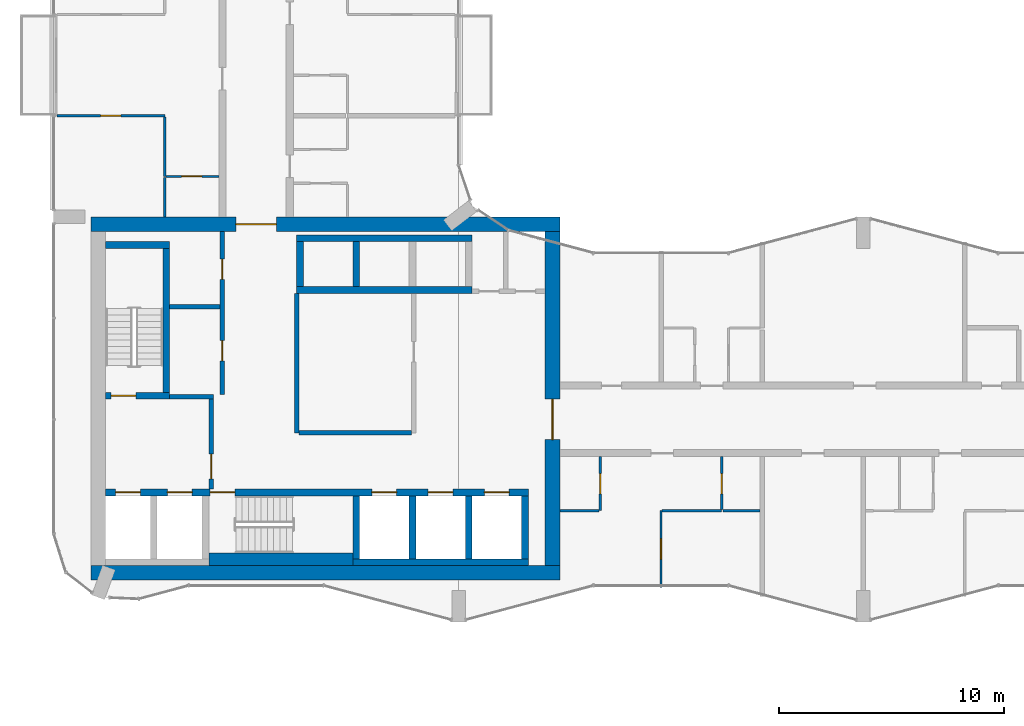
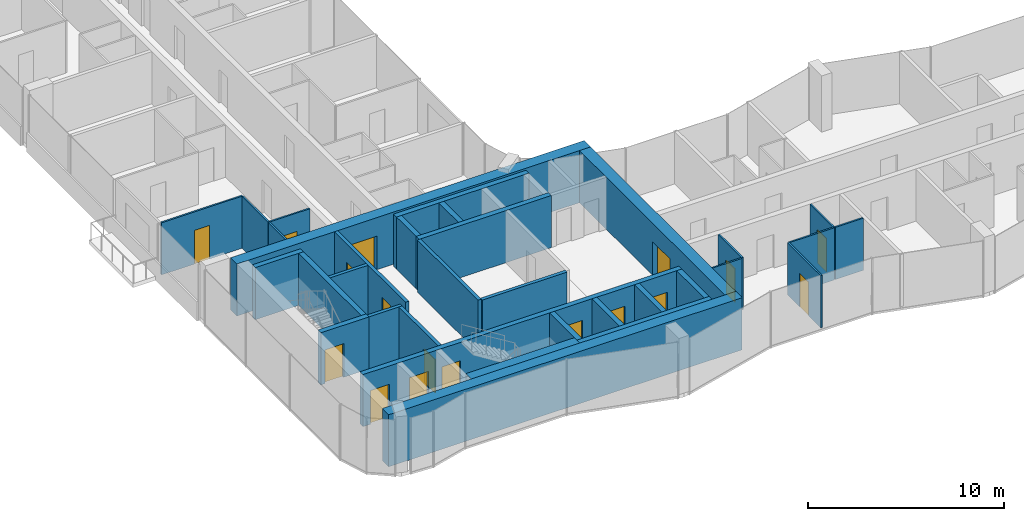
# One storey, part 13 of 22: 33 walls, 17 doors, 17 openings.
"""IFC4 building model written with IfcOpenShell, lengths in metres."""

from ifc_helpers import new_model, si_unit, direction, frame, frame_2d, origin, place, context, subcontext, project, spatial, rectangle, extrude, material, layer, layer_set, type_object, element, fill, save


model = new_model("IFC4")

# Units and contexts
model_context = context("Model", 3, precision=1e-05, world=origin(), true_north=direction((0.0, 1.0)))
body_context = subcontext(model_context, "Body", "Model", "MODEL_VIEW")
ifc_project = project(units=[si_unit("LENGTHUNIT", "METRE"), si_unit("AREAUNIT", "SQUARE_METRE"), si_unit("VOLUMEUNIT", "CUBIC_METRE"), si_unit("PLANEANGLEUNIT", "RADIAN"), si_unit("MASSUNIT", "GRAM", prefix="KILO")], contexts=[model_context])

# Site, building, storey
site_placement = place(None, origin())
site = spatial("IfcSite", under=ifc_project, at=site_placement, CompositionType="ELEMENT")
building_placement = place(site_placement, origin())
building = spatial("IfcBuilding", under=site, at=building_placement, Name="Plateau Cross Towers", CompositionType="ELEMENT")
storey_placement = place(building_placement, frame((0.0, 0.0, 113.300048828125)))
storey = spatial("IfcBuildingStorey", under=building, at=storey_placement, Name="L29", CompositionType="ELEMENT", Elevation=113.300048828125)

# Wall, opening, door
ifc_material_1 = material(Name="Concrete block, plastered both sides", Category="concrete")
ifc_layer_1 = layer(ifc_material_1, 0.199951171875)
ifc_layer_set_1 = layer_set([ifc_layer_1], Name="Concrete block, plastered both sides")
wall_type_1 = type_object("IfcWallType", Name="Core partition 200", PredefinedType="PARTITIONING", material=ifc_layer_set_1)
wall_1_placement = place(storey_placement, frame((7.0, 5.89990234375, 0.0), z_axis=(0.0, 0.0, 1.0), x_axis=(0.0, 1.0, 0.0)))
wall_1 = element("IfcWall", 1, at=wall_1_placement, inside=storey, type_object=wall_type_1, Name="Core partition", PredefinedType="PARTITIONING", context=body_context, shape_type="SweptSolid", body=[
    extrude(rectangle(XDim=4.0, YDim=0.199951171875, at=frame_2d((2.0, 0.0))), origin(), (0.0, 0.0, 1.0), 3.25),
])
opening_1_placement = place(wall_1_placement, frame((0.449951171875, 0.0, 0.0)))
opening_1 = element("IfcOpeningElement", 2, at=opening_1_placement, cuts=wall_1, Name="Opening FFD", PredefinedType="OPENING", context=body_context, shape_type="SweptSolid", body=[
    extrude(rectangle(XDim=1.10009765625, YDim=2.10009765625, at=frame_2d((0.550048828125, 1.050048828125))), frame((0.0, 0.10986328125, 0.0), z_axis=(0.0, -1.0, 0.0), x_axis=(1.0, 0.0, 0.0)), (0.0, 0.0, 1.0), 0.219970703125),
])
ifc_material_2 = material(Name="Steel, fire-resisting leaf", Category="steel")
door_type_1 = type_object("IfcDoorType", Name="Firefighting lobby door 1100", OperationType="NOTDEFINED", PredefinedType="DOOR", material=ifc_material_2)
door_1_placement = place(opening_1_placement, origin())
door_1 = element("IfcDoor", 3, at=door_1_placement, inside=storey, type_object=door_type_1, Name="Firefighting lobby door FFD", OperationType="SINGLE_SWING_LEFT", OverallHeight=2.10009765625, OverallWidth=1.10009765625, PredefinedType="DOOR", context=body_context, shape_type="SweptSolid", body=[
    extrude(rectangle(XDim=1.10009765625, YDim=2.10009765625, at=frame_2d((0.550048828125, 1.050048828125))), frame((0.0, 0.02490234375, 0.0), z_axis=(0.0, -1.0, 0.0), x_axis=(1.0, 0.0, 0.0)), (0.0, 0.0, 1.0), 0.050048828125),
])
fill(opening_1, door_1)

# Walls
wall_2_placement = place(storey_placement, frame((5.14990234375, 10.0, 0.0), z_axis=(0.0, 0.0, 1.0), x_axis=(1.0, 0.0, 0.0)))
element("IfcWall", 4, at=wall_2_placement, inside=storey, type_object=wall_type_1, Name="Core partition", PredefinedType="PARTITIONING", context=body_context, shape_type="SweptSolid", body=[
    extrude(rectangle(XDim=1.9501953125, YDim=0.199951171875, at=frame_2d((0.97509765625, 0.0))), origin(), (0.0, 0.0, 1.0), 3.25),
])
wall_3_placement = place(storey_placement, frame((10.800048828125, 8.39990234375, 0.0), z_axis=(0.0, 0.0, 1.0), x_axis=(0.0, 1.0, 0.0)))
element("IfcWall", 5, at=wall_3_placement, inside=storey, type_object=wall_type_1, Name="Core partition", PredefinedType="PARTITIONING", context=body_context, shape_type="SweptSolid", body=[
    extrude(rectangle(XDim=6.2001953125, YDim=0.199951171875, at=frame_2d((3.10009765625, 0.0))), origin(), (0.0, 0.0, 1.0), 3.25),
])
wall_4_placement = place(storey_placement, frame((10.89990234375, 8.39990234375, 0.0), z_axis=(0.0, 0.0, 1.0), x_axis=(1.0, 0.0, 0.0)))
element("IfcWall", 6, at=wall_4_placement, inside=storey, type_object=wall_type_1, Name="Core partition", PredefinedType="PARTITIONING", context=body_context, shape_type="SweptSolid", body=[
    extrude(rectangle(XDim=5.0, YDim=0.199951171875, at=frame_2d((2.5, 0.0))), origin(), (0.0, 0.0, 1.0), 3.25),
])

# Wall, openings, doors
wall_5_placement = place(storey_placement, frame((7.5, 10.10009765625, 0.0), z_axis=(0.0, 0.0, 1.0), x_axis=(0.0, 1.0, 0.0)))
wall_5 = element("IfcWall", 7, at=wall_5_placement, inside=storey, type_object=wall_type_1, Name="Core partition", PredefinedType="PARTITIONING", context=body_context, shape_type="SweptSolid", body=[
    extrude(rectangle(XDim=7.25, YDim=0.199951171875, at=frame_2d((3.625, 0.0))), origin(), (0.0, 0.0, 1.0), 3.25),
])
opening_2_placement = place(wall_5_placement, frame((1.5, 0.0, 0.0)))
opening_2 = element("IfcOpeningElement", 8, at=opening_2_placement, cuts=wall_5, Name="Opening RD1", PredefinedType="OPENING", context=body_context, shape_type="SweptSolid", body=[
    extrude(rectangle(XDim=0.89990234375, YDim=2.10009765625, at=frame_2d((0.449951171875, 1.050048828125))), frame((0.0, 0.10986328125, 0.0), z_axis=(0.0, -1.0, 0.0), x_axis=(1.0, 0.0, 0.0)), (0.0, 0.0, 1.0), 0.219970703125),
])
opening_3_placement = place(wall_5_placement, frame((5.125, 0.0, 0.0)))
opening_3 = element("IfcOpeningElement", 9, at=opening_3_placement, cuts=wall_5, Name="Opening RD1", PredefinedType="OPENING", context=body_context, shape_type="SweptSolid", body=[
    extrude(rectangle(XDim=0.89990234375, YDim=2.10009765625, at=frame_2d((0.449951171875, 1.050048828125))), frame((0.0, 0.10986328125, 0.0), z_axis=(0.0, -1.0, 0.0), x_axis=(1.0, 0.0, 0.0)), (0.0, 0.0, 1.0), 0.219970703125),
])
ifc_material_3 = material(Name="Timber, fire-resisting leaf", Category="wood")
door_type_2 = type_object("IfcDoorType", Name="Core service door 900", OperationType="NOTDEFINED", PredefinedType="DOOR", material=ifc_material_3)
door_2_placement = place(opening_2_placement, origin())
door_2 = element("IfcDoor", 10, at=door_2_placement, inside=storey, type_object=door_type_2, Name="Core service door RD1", OperationType="SINGLE_SWING_RIGHT", OverallHeight=2.10009765625, OverallWidth=0.89990234375, PredefinedType="DOOR", context=body_context, shape_type="SweptSolid", body=[
    extrude(rectangle(XDim=0.89990234375, YDim=2.10009765625, at=frame_2d((0.449951171875, 1.050048828125))), frame((0.0, 0.02490234375, 0.0), z_axis=(0.0, -1.0, 0.0), x_axis=(1.0, 0.0, 0.0)), (0.0, 0.0, 1.0), 0.050048828125),
])
fill(opening_2, door_2)
door_3_placement = place(opening_3_placement, origin())
door_3 = element("IfcDoor", 11, at=door_3_placement, inside=storey, type_object=door_type_2, Name="Core service door RD1", OperationType="SINGLE_SWING_RIGHT", OverallHeight=2.10009765625, OverallWidth=0.89990234375, PredefinedType="DOOR", context=body_context, shape_type="SweptSolid", body=[
    extrude(rectangle(XDim=0.89990234375, YDim=2.10009765625, at=frame_2d((0.449951171875, 1.050048828125))), frame((0.0, 0.02490234375, 0.0), z_axis=(0.0, -1.0, 0.0), x_axis=(1.0, 0.0, 0.0)), (0.0, 0.0, 1.0), 0.050048828125),
])
fill(opening_3, door_3)

# Walls
wall_6_placement = place(storey_placement, frame((5.14990234375, 14.0, 0.0), z_axis=(0.0, 0.0, 1.0), x_axis=(1.0, 0.0, 0.0)))
element("IfcWall", 12, at=wall_6_placement, inside=storey, type_object=wall_type_1, Name="Core partition", PredefinedType="PARTITIONING", context=body_context, shape_type="SweptSolid", body=[
    extrude(rectangle(XDim=2.25, YDim=0.199951171875, at=frame_2d((1.125, 0.0))), origin(), (0.0, 0.0, 1.0), 3.25),
])
ifc_material_4 = material(Name="Concrete C60/75", Category="concrete")
ifc_layer_2 = layer(ifc_material_4, 0.300048828125)
ifc_layer_set_2 = layer_set([ifc_layer_2], Name="Concrete C60/75")
wall_type_2 = type_object("IfcWallType", Name="Core shaft wall 300", PredefinedType="SHEAR", material=ifc_layer_set_2)
wall_7_placement = place(storey_placement, frame((13.300048828125, 2.64990234375, 0.0), z_axis=(0.0, 0.0, 1.0), x_axis=(1.0, 0.0, 0.0)))
element("IfcWall", 13, at=wall_7_placement, inside=storey, type_object=wall_type_2, Name="A-sb-back3@L29", PredefinedType="SHEAR", context=body_context, shape_type="SweptSolid", body=[
    extrude(rectangle(XDim=7.800048828125, YDim=0.300048828125, at=frame_2d((3.89990234375, 0.0))), origin(), (0.0, 0.0, 1.0), 3.25),
])
for number, where, z_axis, x_axis, name in (
    (14, (13.449951171875, 2.800048828125, 0.0), (0.0, 0.0, 1.0), (0.0, 1.0, 0.0), "A-sb-v3@L29"),
    (15, (15.949951171875, 2.800048828125, 0.0), (0.0, 0.0, 1.0), (0.0, 1.0, 0.0), "A-sb-v4@L29"),
    (16, (18.449951171875, 2.800048828125, 0.0), (0.0, 0.0, 1.0), (0.0, 1.0, 0.0), "A-sb-v5@L29"),
    (17, (20.949951171875, 2.800048828125, 0.0), (0.0, 0.0, 1.0), (0.0, 1.0, 0.0), "A-sb-v6@L29"),
):
    element("IfcWall", number, at=place(storey_placement, frame(where, z_axis=z_axis, x_axis=x_axis)), inside=storey, type_object=wall_type_2, Name=name, PredefinedType="SHEAR", context=body_context, shape_type="SweptSolid", body=[
        extrude(rectangle(XDim=2.800048828125, YDim=0.300048828125, at=frame_2d((1.39990234375, 0.0))), origin(), (0.0, 0.0, 1.0), 3.25),
    ])

# Wall, openings, doors
wall_8_placement = place(storey_placement, frame((2.300048828125, 5.75, 0.0), z_axis=(0.0, 0.0, 1.0), x_axis=(1.0, 0.0, 0.0)))
wall_8 = element("IfcWall", 18, at=wall_8_placement, inside=storey, type_object=wall_type_2, Name="A-sb-front@L29", PredefinedType="SHEAR", context=body_context, shape_type="SweptSolid", body=[
    extrude(rectangle(XDim=18.800048828125, YDim=0.300048828125, at=frame_2d((9.39990234375, 0.0))), origin(), (0.0, 0.0, 1.0), 3.25),
])
opening_4_placement = place(wall_8_placement, frame((4.64990234375, 0.0, 0.0)))
opening_4 = element("IfcOpeningElement", 19, at=opening_4_placement, cuts=wall_8, Name="Opening SD", PredefinedType="OPENING", context=body_context, shape_type="SweptSolid", body=[
    extrude(rectangle(XDim=1.10009765625, YDim=2.10009765625, at=frame_2d((0.550048828125, 1.050048828125))), frame((0.0, 0.159912109375, 0.0), z_axis=(0.0, -1.0, 0.0), x_axis=(1.0, 0.0, 0.0)), (0.0, 0.0, 1.0), 0.320068359375),
])
opening_5_placement = place(wall_8_placement, frame((0.449951171875, 0.0, 0.0)))
opening_5 = element("IfcOpeningElement", 20, at=opening_5_placement, cuts=wall_8, Name="Opening LD", PredefinedType="OPENING", context=body_context, shape_type="SweptSolid", body=[
    extrude(rectangle(XDim=1.10009765625, YDim=2.10009765625, at=frame_2d((0.550048828125, 1.050048828125))), frame((0.0, 0.159912109375, 0.0), z_axis=(0.0, -1.0, 0.0), x_axis=(1.0, 0.0, 0.0)), (0.0, 0.0, 1.0), 0.320068359375),
])
opening_6_placement = place(wall_8_placement, frame((2.75, 0.0, 0.0)))
opening_6 = element("IfcOpeningElement", 21, at=opening_6_placement, cuts=wall_8, Name="Opening LD", PredefinedType="OPENING", context=body_context, shape_type="SweptSolid", body=[
    extrude(rectangle(XDim=1.10009765625, YDim=2.10009765625, at=frame_2d((0.550048828125, 1.050048828125))), frame((0.0, 0.159912109375, 0.0), z_axis=(0.0, -1.0, 0.0), x_axis=(1.0, 0.0, 0.0)), (0.0, 0.0, 1.0), 0.320068359375),
])
opening_7_placement = place(wall_8_placement, frame((11.85009765625, 0.0, 0.0)))
opening_7 = element("IfcOpeningElement", 22, at=opening_7_placement, cuts=wall_8, Name="Opening LD", PredefinedType="OPENING", context=body_context, shape_type="SweptSolid", body=[
    extrude(rectangle(XDim=1.10009765625, YDim=2.10009765625, at=frame_2d((0.550048828125, 1.050048828125))), frame((0.0, 0.159912109375, 0.0), z_axis=(0.0, -1.0, 0.0), x_axis=(1.0, 0.0, 0.0)), (0.0, 0.0, 1.0), 0.320068359375),
])
opening_8_placement = place(wall_8_placement, frame((14.35009765625, 0.0, 0.0)))
opening_8 = element("IfcOpeningElement", 23, at=opening_8_placement, cuts=wall_8, Name="Opening LD", PredefinedType="OPENING", context=body_context, shape_type="SweptSolid", body=[
    extrude(rectangle(XDim=1.10009765625, YDim=2.10009765625, at=frame_2d((0.550048828125, 1.050048828125))), frame((0.0, 0.159912109375, 0.0), z_axis=(0.0, -1.0, 0.0), x_axis=(1.0, 0.0, 0.0)), (0.0, 0.0, 1.0), 0.320068359375),
])
opening_9_placement = place(wall_8_placement, frame((16.85009765625, 0.0, 0.0)))
opening_9 = element("IfcOpeningElement", 24, at=opening_9_placement, cuts=wall_8, Name="Opening LD", PredefinedType="OPENING", context=body_context, shape_type="SweptSolid", body=[
    extrude(rectangle(XDim=1.10009765625, YDim=2.10009765625, at=frame_2d((0.550048828125, 1.050048828125))), frame((0.0, 0.159912109375, 0.0), z_axis=(0.0, -1.0, 0.0), x_axis=(1.0, 0.0, 0.0)), (0.0, 0.0, 1.0), 0.320068359375),
])
ifc_material_5 = material(Name="Stainless steel, fire-resisting sliding leaves", Category="steel")
door_type_3 = type_object("IfcDoorType", Name="Lift landing door 1100", OperationType="NOTDEFINED", PredefinedType="DOOR", material=ifc_material_5)
door_4_placement = place(opening_5_placement, origin())
door_4 = element("IfcDoor", 25, at=door_4_placement, inside=storey, type_object=door_type_3, Name="Lift landing door LD", OperationType="DOUBLE_DOOR_SLIDING", OverallHeight=2.10009765625, OverallWidth=1.10009765625, PredefinedType="DOOR", context=body_context, shape_type="SweptSolid", body=[
    extrude(rectangle(XDim=1.10009765625, YDim=2.10009765625, at=frame_2d((0.550048828125, 1.050048828125))), frame((0.0, 0.02490234375, 0.0), z_axis=(0.0, -1.0, 0.0), x_axis=(1.0, 0.0, 0.0)), (0.0, 0.0, 1.0), 0.050048828125),
])
fill(opening_5, door_4)
door_5_placement = place(opening_6_placement, origin())
door_5 = element("IfcDoor", 26, at=door_5_placement, inside=storey, type_object=door_type_3, Name="Lift landing door LD", OperationType="DOUBLE_DOOR_SLIDING", OverallHeight=2.10009765625, OverallWidth=1.10009765625, PredefinedType="DOOR", context=body_context, shape_type="SweptSolid", body=[
    extrude(rectangle(XDim=1.10009765625, YDim=2.10009765625, at=frame_2d((0.550048828125, 1.050048828125))), frame((0.0, 0.02490234375, 0.0), z_axis=(0.0, -1.0, 0.0), x_axis=(1.0, 0.0, 0.0)), (0.0, 0.0, 1.0), 0.050048828125),
])
fill(opening_6, door_5)
door_6_placement = place(opening_7_placement, origin())
door_6 = element("IfcDoor", 27, at=door_6_placement, inside=storey, type_object=door_type_3, Name="Lift landing door LD", OperationType="DOUBLE_DOOR_SLIDING", OverallHeight=2.10009765625, OverallWidth=1.10009765625, PredefinedType="DOOR", context=body_context, shape_type="SweptSolid", body=[
    extrude(rectangle(XDim=1.10009765625, YDim=2.10009765625, at=frame_2d((0.550048828125, 1.050048828125))), frame((0.0, 0.02490234375, 0.0), z_axis=(0.0, -1.0, 0.0), x_axis=(1.0, 0.0, 0.0)), (0.0, 0.0, 1.0), 0.050048828125),
])
fill(opening_7, door_6)
door_7_placement = place(opening_8_placement, origin())
door_7 = element("IfcDoor", 28, at=door_7_placement, inside=storey, type_object=door_type_3, Name="Lift landing door LD", OperationType="DOUBLE_DOOR_SLIDING", OverallHeight=2.10009765625, OverallWidth=1.10009765625, PredefinedType="DOOR", context=body_context, shape_type="SweptSolid", body=[
    extrude(rectangle(XDim=1.10009765625, YDim=2.10009765625, at=frame_2d((0.550048828125, 1.050048828125))), frame((0.0, 0.02490234375, 0.0), z_axis=(0.0, -1.0, 0.0), x_axis=(1.0, 0.0, 0.0)), (0.0, 0.0, 1.0), 0.050048828125),
])
fill(opening_8, door_7)
door_8_placement = place(opening_9_placement, origin())
door_8 = element("IfcDoor", 29, at=door_8_placement, inside=storey, type_object=door_type_3, Name="Lift landing door LD", OperationType="DOUBLE_DOOR_SLIDING", OverallHeight=2.10009765625, OverallWidth=1.10009765625, PredefinedType="DOOR", context=body_context, shape_type="SweptSolid", body=[
    extrude(rectangle(XDim=1.10009765625, YDim=2.10009765625, at=frame_2d((0.550048828125, 1.050048828125))), frame((0.0, 0.02490234375, 0.0), z_axis=(0.0, -1.0, 0.0), x_axis=(1.0, 0.0, 0.0)), (0.0, 0.0, 1.0), 0.050048828125),
])
fill(opening_9, door_8)
door_type_4 = type_object("IfcDoorType", Name="Stair door 1100", OperationType="NOTDEFINED", PredefinedType="DOOR", material=ifc_material_2)
door_9_placement = place(opening_4_placement, origin())
door_9 = element("IfcDoor", 30, at=door_9_placement, inside=storey, type_object=door_type_4, Name="Stair door SD", OperationType="SINGLE_SWING_LEFT", OverallHeight=2.10009765625, OverallWidth=1.10009765625, PredefinedType="DOOR", context=body_context, shape_type="SweptSolid", body=[
    extrude(rectangle(XDim=1.10009765625, YDim=2.10009765625, at=frame_2d((0.550048828125, 1.050048828125))), frame((0.0, 0.02490234375, 0.0), z_axis=(0.0, -1.0, 0.0), x_axis=(1.0, 0.0, 0.0)), (0.0, 0.0, 1.0), 0.050048828125),
])
fill(opening_4, door_9)

# Wall, opening, door
wall_9_placement = place(storey_placement, frame((2.300048828125, 10.050048828125, 0.0), z_axis=(0.0, 0.0, 1.0), x_axis=(1.0, 0.0, 0.0)))
wall_9 = element("IfcWall", 31, at=wall_9_placement, inside=storey, type_object=wall_type_2, Name="A-st1-S@L29", PredefinedType="SHEAR", context=body_context, shape_type="SweptSolid", body=[
    extrude(rectangle(XDim=2.849853515625, YDim=0.300048828125, at=frame_2d((1.4248046875, 0.0))), origin(), (0.0, 0.0, 1.0), 3.25),
])
opening_10_placement = place(wall_9_placement, frame((0.25, 0.0, 0.0)))
opening_10 = element("IfcOpeningElement", 32, at=opening_10_placement, cuts=wall_9, Name="Opening SD", PredefinedType="OPENING", context=body_context, shape_type="SweptSolid", body=[
    extrude(rectangle(XDim=1.10009765625, YDim=2.10009765625, at=frame_2d((0.550048828125, 1.050048828125))), frame((0.0, 0.159912109375, 0.0), z_axis=(0.0, -1.0, 0.0), x_axis=(1.0, 0.0, 0.0)), (0.0, 0.0, 1.0), 0.320068359375),
])
door_10_placement = place(opening_10_placement, origin())
door_10 = element("IfcDoor", 33, at=door_10_placement, inside=storey, type_object=door_type_4, Name="Stair door SD", OperationType="SINGLE_SWING_RIGHT", OverallHeight=2.10009765625, OverallWidth=1.10009765625, PredefinedType="DOOR", context=body_context, shape_type="SweptSolid", body=[
    extrude(rectangle(XDim=1.10009765625, YDim=2.10009765625, at=frame_2d((0.550048828125, 1.050048828125))), frame((0.0, 0.02490234375, 0.0), z_axis=(0.0, -1.0, 0.0), x_axis=(1.0, 0.0, 0.0)), (0.0, 0.0, 1.0), 0.050048828125),
])
fill(opening_10, door_10)

# Walls
wall_10_placement = place(storey_placement, frame((5.0, 10.199951171875, 0.0), z_axis=(0.0, 0.0, 1.0), x_axis=(0.0, 1.0, 0.0)))
element("IfcWall", 34, at=wall_10_placement, inside=storey, type_object=wall_type_2, Name="A-st1-E@L29", PredefinedType="SHEAR", context=body_context, shape_type="SweptSolid", body=[
    extrude(rectangle(XDim=6.400146484375, YDim=0.300048828125, at=frame_2d((3.2001953125, 0.0))), origin(), (0.0, 0.0, 1.0), 3.25),
])
wall_11_placement = place(storey_placement, frame((2.300048828125, 16.75, 0.0), z_axis=(0.0, 0.0, 1.0), x_axis=(1.0, 0.0, 0.0)))
element("IfcWall", 35, at=wall_11_placement, inside=storey, type_object=wall_type_2, Name="A-st1-N@L29", PredefinedType="SHEAR", context=body_context, shape_type="SweptSolid", body=[
    extrude(rectangle(XDim=2.849853515625, YDim=0.300048828125, at=frame_2d((1.4248046875, 0.0))), origin(), (0.0, 0.0, 1.0), 3.25),
])
for number, where, z_axis, x_axis, name in (
    (36, (10.800048828125, 17.050048828125, 0.0), (0.0, 0.0, 1.0), (1.0, 0.0, 0.0), "A-nb-back@L29"),
    (37, (10.800048828125, 14.75, 0.0), (0.0, 0.0, 1.0), (1.0, 0.0, 0.0), "A-nb-front@L29"),
):
    element("IfcWall", number, at=place(storey_placement, frame(where, z_axis=z_axis, x_axis=x_axis)), inside=storey, type_object=wall_type_2, Name=name, PredefinedType="SHEAR", context=body_context, shape_type="SweptSolid", body=[
        extrude(rectangle(XDim=7.800048828125, YDim=0.300048828125, at=frame_2d((3.89990234375, 0.0))), origin(), (0.0, 0.0, 1.0), 3.25),
    ])
for number, where, z_axis, x_axis, name in (
    (38, (10.949951171875, 14.89990234375, 0.0), (0.0, 0.0, 1.0), (0.0, 1.0, 0.0), "A-nb-v1@L29"),
    (39, (13.449951171875, 14.89990234375, 0.0), (0.0, 0.0, 1.0), (0.0, 1.0, 0.0), "A-nb-v2@L29"),
):
    element("IfcWall", number, at=place(storey_placement, frame(where, z_axis=z_axis, x_axis=x_axis)), inside=storey, type_object=wall_type_2, Name=name, PredefinedType="SHEAR", context=body_context, shape_type="SweptSolid", body=[
        extrude(rectangle(XDim=2.0, YDim=0.300048828125, at=frame_2d((1.0, 0.0))), origin(), (0.0, 0.0, 1.0), 3.25),
    ])
ifc_layer_3 = layer(ifc_material_4, 0.550048828125)
ifc_layer_set_3 = layer_set([ifc_layer_3], Name="Concrete C60/75")
wall_type_3 = type_object("IfcWallType", Name="Core shaft wall 550", PredefinedType="SHEAR", material=ifc_layer_set_3)
wall_12_placement = place(storey_placement, frame((6.89990234375, 2.77490234375, 0.0), z_axis=(0.0, 0.0, 1.0), x_axis=(1.0, 0.0, 0.0)))
element("IfcWall", 40, at=wall_12_placement, inside=storey, type_object=wall_type_3, Name="A-sb-back2@L29", PredefinedType="SHEAR", context=body_context, shape_type="SweptSolid", body=[
    extrude(rectangle(XDim=6.400146484375, YDim=0.550048828125, at=frame_2d((3.2001953125, 0.0))), origin(), (0.0, 0.0, 1.0), 3.25),
])
ifc_layer_4 = layer(ifc_material_4, 0.64990234375)
ifc_layer_set_4 = layer_set([ifc_layer_4], Name="Concrete C60/75")
wall_type_4 = type_object("IfcWallType", Name="Core shell wall 650", PredefinedType="SHEAR", material=ifc_layer_set_4)
wall_13_placement = place(storey_placement, frame((1.64990234375, 2.175048828125, 0.0), z_axis=(0.0, 0.0, 1.0), x_axis=(1.0, 0.0, 0.0)))
element("IfcWall", 41, at=wall_13_placement, inside=storey, type_object=wall_type_4, Name="A-core-S@L29", PredefinedType="SHEAR", context=body_context, shape_type="SweptSolid", body=[
    extrude(rectangle(XDim=20.85009765625, YDim=0.64990234375, at=frame_2d((10.425048828125, 0.0))), origin(), (0.0, 0.0, 1.0), 3.25),
])

# Wall, opening, door
wall_14_placement = place(storey_placement, frame((1.64990234375, 17.675048828125, 0.0), z_axis=(0.0, 0.0, 1.0), x_axis=(1.0, 0.0, 0.0)))
wall_14 = element("IfcWall", 42, at=wall_14_placement, inside=storey, type_object=wall_type_4, Name="A-core-N@L29", PredefinedType="SHEAR", context=body_context, shape_type="SweptSolid", body=[
    extrude(rectangle(XDim=20.85009765625, YDim=0.64990234375, at=frame_2d((10.425048828125, 0.0))), origin(), (0.0, 0.0, 1.0), 3.25),
])
opening_11_placement = place(wall_14_placement, frame((6.449951171875, 0.0, 0.0)))
opening_11 = element("IfcOpeningElement", 43, at=opening_11_placement, cuts=wall_14, Name="Opening CD", PredefinedType="OPENING", context=body_context, shape_type="SweptSolid", body=[
    extrude(rectangle(XDim=1.800048828125, YDim=2.10009765625, at=frame_2d((0.89990234375, 1.050048828125))), frame((0.0, 0.3349609375, 0.0), z_axis=(0.0, -1.0, 0.0), x_axis=(1.0, 0.0, 0.0)), (0.0, 0.0, 1.0), 0.669921875),
])
ifc_material_6 = material(Name="Steel, fire-resisting leaves", Category="steel")
door_type_5 = type_object("IfcDoorType", Name="Corridor door pair 1800", OperationType="NOTDEFINED", PredefinedType="DOOR", material=ifc_material_6)
door_11_placement = place(opening_11_placement, origin())
door_11 = element("IfcDoor", 44, at=door_11_placement, inside=storey, type_object=door_type_5, Name="Corridor door pair CD", OperationType="DOUBLE_DOOR_SINGLE_SWING", OverallHeight=2.10009765625, OverallWidth=1.800048828125, PredefinedType="DOOR", context=body_context, shape_type="SweptSolid", body=[
    extrude(rectangle(XDim=1.800048828125, YDim=2.10009765625, at=frame_2d((0.89990234375, 1.050048828125))), frame((0.0, 0.02490234375, 0.0), z_axis=(0.0, -1.0, 0.0), x_axis=(1.0, 0.0, 0.0)), (0.0, 0.0, 1.0), 0.050048828125),
])
fill(opening_11, door_11)

wall_15_placement = place(storey_placement, frame((22.175048828125, 2.5, 0.0), z_axis=(0.0, 0.0, 1.0), x_axis=(0.0, 1.0, 0.0)))
wall_15 = element("IfcWall", 45, at=wall_15_placement, inside=storey, type_object=wall_type_4, Name="A-core-E@L29", PredefinedType="SHEAR", context=body_context, shape_type="SweptSolid", body=[
    extrude(rectangle(XDim=14.85009765625, YDim=0.64990234375, at=frame_2d((7.425048828125, 0.0))), origin(), (0.0, 0.0, 1.0), 3.25),
])
opening_12_placement = place(wall_15_placement, frame((5.60009765625, 0.0, 0.0)))
opening_12 = element("IfcOpeningElement", 46, at=opening_12_placement, cuts=wall_15, Name="Opening CD", PredefinedType="OPENING", context=body_context, shape_type="SweptSolid", body=[
    extrude(rectangle(XDim=1.800048828125, YDim=2.10009765625, at=frame_2d((0.89990234375, 1.050048828125))), frame((0.0, 0.3349609375, 0.0), z_axis=(0.0, -1.0, 0.0), x_axis=(1.0, 0.0, 0.0)), (0.0, 0.0, 1.0), 0.669921875),
])
door_12_placement = place(opening_12_placement, origin())
door_12 = element("IfcDoor", 47, at=door_12_placement, inside=storey, type_object=door_type_5, Name="Corridor door pair CD", OperationType="DOUBLE_DOOR_SINGLE_SWING", OverallHeight=2.10009765625, OverallWidth=1.800048828125, PredefinedType="DOOR", context=body_context, shape_type="SweptSolid", body=[
    extrude(rectangle(XDim=1.800048828125, YDim=2.10009765625, at=frame_2d((0.89990234375, 1.050048828125))), frame((0.0, 0.02490234375, 0.0), z_axis=(0.0, -1.0, 0.0), x_axis=(1.0, 0.0, 0.0)), (0.0, 0.0, 1.0), 0.050048828125),
])
fill(opening_12, door_12)

# Walls
ifc_material_7 = material(Name="Gypsum board on steel studs", Category="steel")
ifc_layer_5 = layer(ifc_material_7, 0.10009765625)
ifc_layer_set_5 = layer_set([ifc_layer_5], Name="Gypsum board on steel studs")
wall_type_5 = type_object("IfcWallType", Name="Flat partition 100", PredefinedType="PARTITIONING", material=ifc_layer_set_5)
wall_16_placement = place(storey_placement, frame((29.699951171875, 4.9375, 0.0), z_axis=(0.0, 0.0, 1.0), x_axis=(-1.0, 0.0, 0.0)))
element("IfcWall", 48, at=wall_16_placement, inside=storey, type_object=wall_type_5, Name="Partition wall", PredefinedType="PARTITIONING", context=body_context, shape_type="SweptSolid", body=[
    extrude(rectangle(XDim=2.64990234375, YDim=0.10009765625, at=frame_2d((1.324951171875, 0.0))), origin(), (0.0, 0.0, 1.0), 3.25),
])
wall_17_placement = place(storey_placement, frame((22.5, 4.9375, 0.0), z_axis=(0.0, 0.0, 1.0), x_axis=(1.0, 0.0, 0.0)))
element("IfcWall", 49, at=wall_17_placement, inside=storey, type_object=wall_type_5, Name="Partition wall", PredefinedType="PARTITIONING", context=body_context, shape_type="SweptSolid", body=[
    extrude(rectangle(XDim=1.75, YDim=0.10009765625, at=frame_2d((0.875, 0.0))), origin(), (0.0, 0.0, 1.0), 3.25),
])
wall_18_placement = place(storey_placement, frame((29.75, 4.9375, 0.0), z_axis=(0.0, 0.0, 1.0), x_axis=(1.0, 0.0, 0.0)))
element("IfcWall", 50, at=wall_18_placement, inside=storey, type_object=wall_type_5, Name="Partition wall", PredefinedType="PARTITIONING", context=body_context, shape_type="SweptSolid", body=[
    extrude(rectangle(XDim=1.64990234375, YDim=0.10009765625, at=frame_2d((0.824951171875, 0.0))), origin(), (0.0, 0.0, 1.0), 3.25),
])

# Wall, opening, door
wall_19_placement = place(storey_placement, frame((7.33740234375, 19.800048828125, 0.0), z_axis=(0.0, 0.0, 1.0), x_axis=(-1.0, 0.0, 0.0)))
wall_19 = element("IfcWall", 51, at=wall_19_placement, inside=storey, type_object=wall_type_5, Name="Partition wall", PredefinedType="PARTITIONING", context=body_context, shape_type="SweptSolid", body=[
    extrude(rectangle(XDim=2.349853515625, YDim=0.10009765625, at=frame_2d((1.1748046875, 0.0))), origin(), (0.0, 0.0, 1.0), 3.25),
])
opening_13_placement = place(wall_19_placement, frame((0.75, 0.0, 0.0)))
opening_13 = element("IfcOpeningElement", 52, at=opening_13_placement, cuts=wall_19, Name="Opening 29-28", PredefinedType="OPENING", context=body_context, shape_type="SweptSolid", body=[
    extrude(rectangle(XDim=0.89990234375, YDim=2.10009765625, at=frame_2d((0.449951171875, 1.050048828125))), frame((0.0, 0.06005859375, 0.0), z_axis=(0.0, -1.0, 0.0), x_axis=(1.0, 0.0, 0.0)), (0.0, 0.0, 1.0), 0.1201171875),
])
ifc_material_8 = material(Name="Timber leaf", Category="wood")
door_type_6 = type_object("IfcDoorType", Name="Flat room door 900", OperationType="NOTDEFINED", PredefinedType="DOOR", material=ifc_material_8)
door_13_placement = place(opening_13_placement, origin())
door_13 = element("IfcDoor", 53, at=door_13_placement, inside=storey, type_object=door_type_6, Name="Door 29-28", OperationType="SINGLE_SWING_RIGHT", OverallHeight=2.10009765625, OverallWidth=0.89990234375, PredefinedType="DOOR", context=body_context, shape_type="SweptSolid", body=[
    extrude(rectangle(XDim=0.89990234375, YDim=2.10009765625, at=frame_2d((0.449951171875, 1.050048828125))), frame((0.0, 0.02490234375, 0.0), z_axis=(0.0, -1.0, 0.0), x_axis=(1.0, 0.0, 0.0)), (0.0, 0.0, 1.0), 0.050048828125),
])
fill(opening_13, door_13)

wall_20_placement = place(storey_placement, frame((4.9375, 22.5, 0.0), z_axis=(0.0, 0.0, 1.0), x_axis=(-1.0, 0.0, 0.0)))
wall_20 = element("IfcWall", 54, at=wall_20_placement, inside=storey, type_object=wall_type_5, Name="Partition wall", PredefinedType="PARTITIONING", context=body_context, shape_type="SweptSolid", body=[
    extrude(rectangle(XDim=4.78759765625, YDim=0.10009765625, at=frame_2d((2.393798828125, 0.0))), origin(), (0.0, 0.0, 1.0), 3.25),
])
opening_14_placement = place(wall_20_placement, frame((1.949951171875, 0.0, 0.0)))
opening_14 = element("IfcOpeningElement", 55, at=opening_14_placement, cuts=wall_20, Name="Opening 29-30", PredefinedType="OPENING", context=body_context, shape_type="SweptSolid", body=[
    extrude(rectangle(XDim=0.89990234375, YDim=2.10009765625, at=frame_2d((0.449951171875, 1.050048828125))), frame((0.0, 0.06005859375, 0.0), z_axis=(0.0, -1.0, 0.0), x_axis=(1.0, 0.0, 0.0)), (0.0, 0.0, 1.0), 0.1201171875),
])
door_14_placement = place(opening_14_placement, origin())
door_14 = element("IfcDoor", 56, at=door_14_placement, inside=storey, type_object=door_type_6, Name="Door 29-30", OperationType="SINGLE_SWING_RIGHT", OverallHeight=2.10009765625, OverallWidth=0.89990234375, PredefinedType="DOOR", context=body_context, shape_type="SweptSolid", body=[
    extrude(rectangle(XDim=0.89990234375, YDim=2.10009765625, at=frame_2d((0.449951171875, 1.050048828125))), frame((0.0, 0.02490234375, 0.0), z_axis=(0.0, -1.0, 0.0), x_axis=(1.0, 0.0, 0.0)), (0.0, 0.0, 1.0), 0.050048828125),
])
fill(opening_14, door_14)

# Walls
wall_21_placement = place(storey_placement, frame((4.9375, 19.75, 0.0), z_axis=(0.0, 0.0, 1.0), x_axis=(0.0, -1.0, 0.0)))
element("IfcWall", 57, at=wall_21_placement, inside=storey, type_object=wall_type_5, Name="Partition wall", PredefinedType="PARTITIONING", context=body_context, shape_type="SweptSolid", body=[
    extrude(rectangle(XDim=1.75, YDim=0.10009765625, at=frame_2d((0.875, 0.0))), origin(), (0.0, 0.0, 1.0), 3.25),
])
wall_22_placement = place(storey_placement, frame((4.9375, 19.800048828125, 0.0), z_axis=(0.0, 0.0, 1.0), x_axis=(0.0, 1.0, 0.0)))
element("IfcWall", 58, at=wall_22_placement, inside=storey, type_object=wall_type_5, Name="Partition wall", PredefinedType="PARTITIONING", context=body_context, shape_type="SweptSolid", body=[
    extrude(rectangle(XDim=2.64990234375, YDim=0.10009765625, at=frame_2d((1.324951171875, 0.0))), origin(), (0.0, 0.0, 1.0), 3.25),
])

# Wall, opening, door
wall_23_placement = place(storey_placement, frame((24.300048828125, 4.9375, 0.0), z_axis=(0.0, 0.0, 1.0), x_axis=(0.0, 1.0, 0.0)))
wall_23 = element("IfcWall", 59, at=wall_23_placement, inside=storey, type_object=wall_type_5, Name="Partition wall", PredefinedType="PARTITIONING", context=body_context, shape_type="SweptSolid", body=[
    extrude(rectangle(XDim=2.39990234375, YDim=0.10009765625, at=frame_2d((1.199951171875, 0.0))), origin(), (0.0, 0.0, 1.0), 3.25),
])
opening_15_placement = place(wall_23_placement, frame((0.75, 0.0, 0.0)))
opening_15 = element("IfcOpeningElement", 60, at=opening_15_placement, cuts=wall_23, Name="Opening 29-18", PredefinedType="OPENING", context=body_context, shape_type="SweptSolid", body=[
    extrude(rectangle(XDim=0.89990234375, YDim=2.10009765625, at=frame_2d((0.449951171875, 1.050048828125))), frame((0.0, 0.06005859375, 0.0), z_axis=(0.0, -1.0, 0.0), x_axis=(1.0, 0.0, 0.0)), (0.0, 0.0, 1.0), 0.1201171875),
])
door_15_placement = place(opening_15_placement, origin())
door_15 = element("IfcDoor", 61, at=door_15_placement, inside=storey, type_object=door_type_6, Name="Door 29-18", OperationType="SINGLE_SWING_LEFT", OverallHeight=2.10009765625, OverallWidth=0.89990234375, PredefinedType="DOOR", context=body_context, shape_type="SweptSolid", body=[
    extrude(rectangle(XDim=0.89990234375, YDim=2.10009765625, at=frame_2d((0.449951171875, 1.050048828125))), frame((0.0, 0.02490234375, 0.0), z_axis=(0.0, -1.0, 0.0), x_axis=(1.0, 0.0, 0.0)), (0.0, 0.0, 1.0), 0.050048828125),
])
fill(opening_15, door_15)

wall_24_placement = place(storey_placement, frame((27.0, 4.9375, 0.0), z_axis=(0.0, 0.0, 1.0), x_axis=(0.0, -1.0, 0.0)))
wall_24 = element("IfcWall", 62, at=wall_24_placement, inside=storey, type_object=wall_type_5, Name="Partition wall", PredefinedType="PARTITIONING", context=body_context, shape_type="SweptSolid", body=[
    extrude(rectangle(XDim=3.41064453125, YDim=0.10009765625, at=frame_2d((1.705322265625, 0.0))), origin(), (0.0, 0.0, 1.0), 3.25),
])
opening_16_placement = place(wall_24_placement, frame((1.25, 0.0, 0.0)))
opening_16 = element("IfcOpeningElement", 63, at=opening_16_placement, cuts=wall_24, Name="Opening 29-20", PredefinedType="OPENING", context=body_context, shape_type="SweptSolid", body=[
    extrude(rectangle(XDim=0.89990234375, YDim=2.10009765625, at=frame_2d((0.449951171875, 1.050048828125))), frame((0.0, 0.06005859375, 0.0), z_axis=(0.0, -1.0, 0.0), x_axis=(1.0, 0.0, 0.0)), (0.0, 0.0, 1.0), 0.1201171875),
])
door_16_placement = place(opening_16_placement, origin())
door_16 = element("IfcDoor", 64, at=door_16_placement, inside=storey, type_object=door_type_6, Name="Door 29-20", OperationType="SINGLE_SWING_LEFT", OverallHeight=2.10009765625, OverallWidth=0.89990234375, PredefinedType="DOOR", context=body_context, shape_type="SweptSolid", body=[
    extrude(rectangle(XDim=0.89990234375, YDim=2.10009765625, at=frame_2d((0.449951171875, 1.050048828125))), frame((0.0, 0.02490234375, 0.0), z_axis=(0.0, -1.0, 0.0), x_axis=(1.0, 0.0, 0.0)), (0.0, 0.0, 1.0), 0.050048828125),
])
fill(opening_16, door_16)

wall_25_placement = place(storey_placement, frame((29.699951171875, 7.33740234375, 0.0), z_axis=(0.0, 0.0, 1.0), x_axis=(0.0, -1.0, 0.0)))
wall_25 = element("IfcWall", 65, at=wall_25_placement, inside=storey, type_object=wall_type_5, Name="Partition wall", PredefinedType="PARTITIONING", context=body_context, shape_type="SweptSolid", body=[
    extrude(rectangle(XDim=2.349853515625, YDim=0.10009765625, at=frame_2d((1.1748046875, 0.0))), origin(), (0.0, 0.0, 1.0), 3.25),
])
opening_17_placement = place(wall_25_placement, frame((0.75, 0.0, 0.0)))
opening_17 = element("IfcOpeningElement", 66, at=opening_17_placement, cuts=wall_25, Name="Opening 29-19", PredefinedType="OPENING", context=body_context, shape_type="SweptSolid", body=[
    extrude(rectangle(XDim=0.89990234375, YDim=2.10009765625, at=frame_2d((0.449951171875, 1.050048828125))), frame((0.0, 0.06005859375, 0.0), z_axis=(0.0, -1.0, 0.0), x_axis=(1.0, 0.0, 0.0)), (0.0, 0.0, 1.0), 0.1201171875),
])
door_17_placement = place(opening_17_placement, origin())
door_17 = element("IfcDoor", 67, at=door_17_placement, inside=storey, type_object=door_type_6, Name="Door 29-19", OperationType="SINGLE_SWING_RIGHT", OverallHeight=2.10009765625, OverallWidth=0.89990234375, PredefinedType="DOOR", context=body_context, shape_type="SweptSolid", body=[
    extrude(rectangle(XDim=0.89990234375, YDim=2.10009765625, at=frame_2d((0.449951171875, 1.050048828125))), frame((0.0, 0.02490234375, 0.0), z_axis=(0.0, -1.0, 0.0), x_axis=(1.0, 0.0, 0.0)), (0.0, 0.0, 1.0), 0.050048828125),
])
fill(opening_17, door_17)

save(model, "model.ifc")
